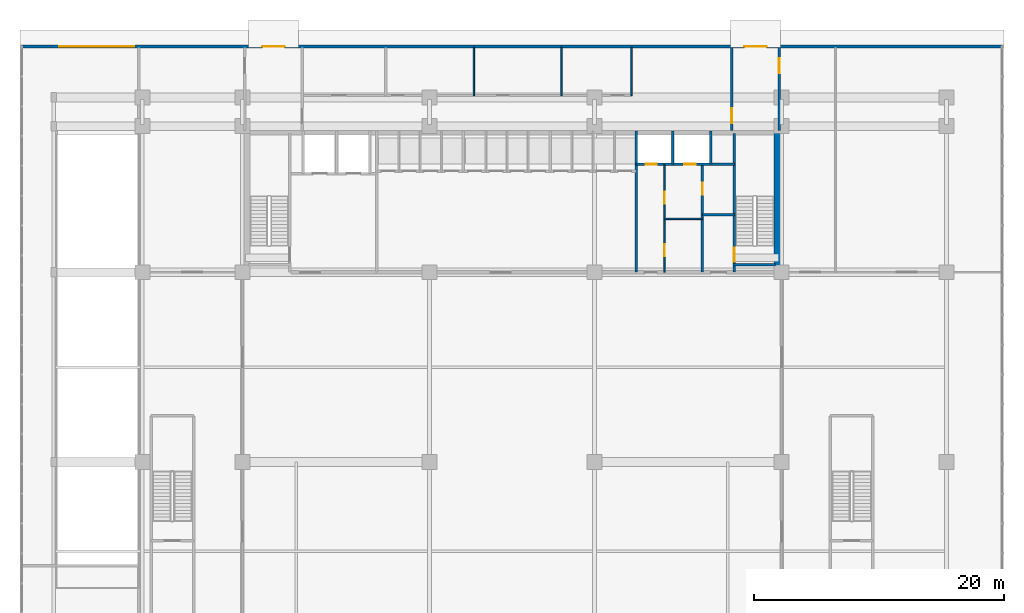
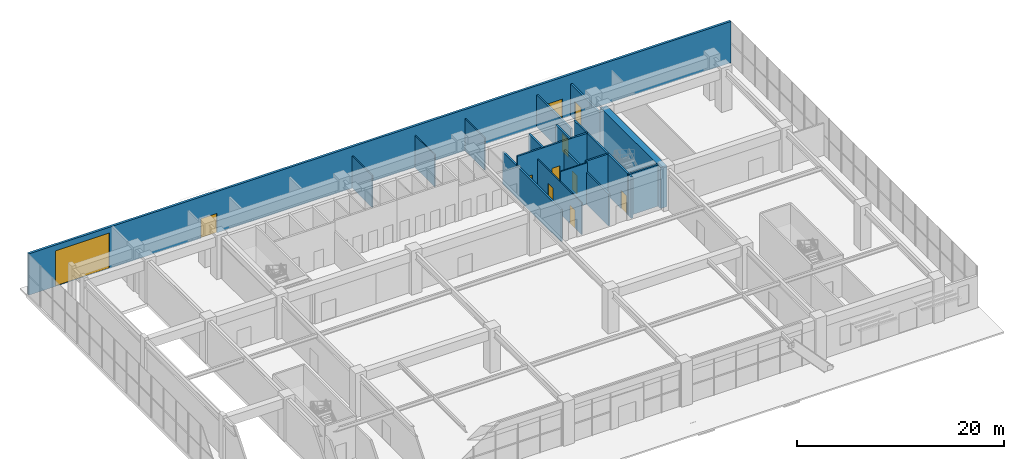
# One storey, part 35 of 40: 17 walls, 11 doors, 11 openings.
"""IFC4 building model written with IfcOpenShell, lengths in metres."""

from ifc_helpers import new_model, si_unit, direction, frame, frame_2d, origin, place, context, subcontext, project, spatial, rectangle, extrude, source, transform, mapped, material, layer, layer_set, type_object, element, fill, save


model = new_model("IFC4")

# Units and contexts
model_context = context("Model", 3, precision=1e-05, world=origin(), true_north=direction((0.0, 1.0)))
body_context = subcontext(model_context, "Body", "Model", "MODEL_VIEW")
ifc_project = project(units=[si_unit("LENGTHUNIT", "METRE"), si_unit("AREAUNIT", "SQUARE_METRE"), si_unit("VOLUMEUNIT", "CUBIC_METRE"), si_unit("PLANEANGLEUNIT", "RADIAN"), si_unit("MASSUNIT", "GRAM", prefix="KILO")], contexts=[model_context])

# Site, building, storey
site_placement = place(None, origin())
site = spatial("IfcSite", under=ifc_project, at=site_placement, CompositionType="ELEMENT")
building_placement = place(site_placement, origin())
building = spatial("IfcBuilding", under=site, at=building_placement, Name="Trelvane Seafront Commons", CompositionType="ELEMENT")
storey_placement = place(building_placement, origin())
storey = spatial("IfcBuildingStorey", under=building, at=storey_placement, Name="L00", CompositionType="ELEMENT", Elevation=0.0)

# Wall, openings, doors
ifc_material_1 = material(Name="Precast concrete C40/50", Category="concrete")
ifc_layer_1 = layer(ifc_material_1, 0.260009765625, Name="ARCH-WALL-EXT260")
ifc_layer_set_1 = layer_set([ifc_layer_1], Name="Precast concrete C40/50")
wall_type_1 = type_object("IfcWallType", Name="ARCH-WALL-EXT260", PredefinedType="SOLIDWALL", material=ifc_layer_set_1)
wall_1_placement = place(storey_placement, frame((-2.050048828125, 51.469970703125, 0.0), z_axis=(0.0, 0.0, 1.0), x_axis=(1.0, 0.0, 0.0)))
wall_1 = element("IfcWall", 1, at=wall_1_placement, inside=storey, type_object=wall_type_1, Name="EW-L00-N-001", PredefinedType="SOLIDWALL", context=body_context, shape_type="SweptSolid", body=[
    extrude(rectangle(XDim=78.5, YDim=0.260009765625, at=frame_2d((39.25, 0.0))), origin(), (0.0, 0.0, 1.0), 4.8798828125),
])
opening_1_placement = place(wall_1_placement, frame((3.0, 0.0, 0.0)))
opening_1 = element("IfcOpeningElement", 2, at=opening_1_placement, cuts=wall_1, Name="Opening VG-01", PredefinedType="OPENING", context=body_context, shape_type="SweptSolid", body=[
    extrude(rectangle(XDim=6.0, YDim=4.199951171875, at=frame_2d((3.0, 2.10009765625))), frame((0.0, 0.139892578125, 0.0), z_axis=(0.0, -1.0, 0.0), x_axis=(1.0, 0.0, 0.0)), (0.0, 0.0, 1.0), 0.280029296875),
])
opening_2_placement = place(wall_1_placement, frame((19.25, 0.0, 0.0)))
opening_2 = element("IfcOpeningElement", 3, at=opening_2_placement, cuts=wall_1, Name="Opening FD-EXN1", PredefinedType="OPENING", context=body_context, shape_type="SweptSolid", body=[
    extrude(rectangle(XDim=1.800048828125, YDim=2.300048828125, at=frame_2d((0.89990234375, 1.14990234375))), frame((0.0, 0.139892578125, 0.0), z_axis=(0.0, -1.0, 0.0), x_axis=(1.0, 0.0, 0.0)), (0.0, 0.0, 1.0), 0.280029296875),
])
opening_3_placement = place(wall_1_placement, frame((57.85009765625, 0.0, 0.0)))
opening_3 = element("IfcOpeningElement", 4, at=opening_3_placement, cuts=wall_1, Name="Opening FD-EXN2", PredefinedType="OPENING", context=body_context, shape_type="SweptSolid", body=[
    extrude(rectangle(XDim=1.800048828125, YDim=2.300048828125, at=frame_2d((0.89990234375, 1.14990234375))), frame((0.0, 0.139892578125, 0.0), z_axis=(0.0, -1.0, 0.0), x_axis=(1.0, 0.0, 0.0)), (0.0, 0.0, 1.0), 0.280029296875),
])
ifc_material_2 = material(Name="Anodised pale-silver aluminium", Category="aluminium")
door_type_1 = type_object("IfcDoorType", Name="ARCH-GATE-VG6000", OperationType="ROLLINGUP", PredefinedType="GATE", material=ifc_material_2)
shared_shape_1 = source(origin(), body_context, "Body", "SweptSolid", [
    extrude(rectangle(XDim=6.0, YDim=4.199951171875, at=frame_2d((3.0, 2.10009765625))), frame((0.0, 0.02490234375, 0.0), z_axis=(0.0, -1.0, 0.0), x_axis=(1.0, 0.0, 0.0)), (0.0, 0.0, 1.0), 0.050048828125),
])
door_1_placement = place(opening_1_placement, origin())
door_1 = element("IfcDoor", 5, at=door_1_placement, inside=storey, type_object=door_type_1, Name="VG-01 North Vehicle Ramp Exit Roller Shutter Gate", OperationType="ROLLINGUP", OverallHeight=4.199951171875, OverallWidth=6.0, PredefinedType="GATE", context=body_context, shape_type="MappedRepresentation", body=[
    mapped(shared_shape_1, transform((0.0, 0.0, 0.0), x_axis=(1.0, 0.0, 0.0), y_axis=(0.0, 1.0, 0.0), z_axis=(0.0, 0.0, 1.0), scale=1.0)),
])
fill(opening_1, door_1)
ifc_material_3 = material(Name="Powder-coated aluminium frame", Category="aluminium")
door_type_2 = type_object("IfcDoorType", Name="ARCH-DR-EX1800", OperationType="DOUBLE_DOOR_SINGLE_SWING", PredefinedType="DOOR", material=ifc_material_3)
shared_shape_2 = source(origin(), body_context, "Body", "SweptSolid", [
    extrude(rectangle(XDim=1.800048828125, YDim=2.300048828125, at=frame_2d((0.89990234375, 1.14990234375))), frame((0.0, 0.02490234375, 0.0), z_axis=(0.0, -1.0, 0.0), x_axis=(1.0, 0.0, 0.0)), (0.0, 0.0, 1.0), 0.050048828125),
])
door_2_placement = place(opening_2_placement, origin())
door_2 = element("IfcDoor", 6, at=door_2_placement, inside=storey, type_object=door_type_2, Name="L00 West Passageway Final Exit Door", OperationType="DOUBLE_DOOR_SINGLE_SWING", OverallHeight=2.300048828125, OverallWidth=1.800048828125, PredefinedType="DOOR", context=body_context, shape_type="MappedRepresentation", body=[
    mapped(shared_shape_2, transform((0.0, 0.0, 0.0), x_axis=(1.0, 0.0, 0.0), y_axis=(0.0, 1.0, 0.0), z_axis=(0.0, 0.0, 1.0), scale=1.0)),
])
fill(opening_2, door_2)
door_3_placement = place(opening_3_placement, origin())
door_3 = element("IfcDoor", 7, at=door_3_placement, inside=storey, type_object=door_type_2, Name="L00 East Passageway Final Exit Door", OperationType="DOUBLE_DOOR_SINGLE_SWING", OverallHeight=2.300048828125, OverallWidth=1.800048828125, PredefinedType="DOOR", context=body_context, shape_type="MappedRepresentation", body=[
    mapped(shared_shape_2, transform((0.0, 0.0, 0.0), x_axis=(1.0, 0.0, 0.0), y_axis=(0.0, 1.0, 0.0), z_axis=(0.0, 0.0, 1.0), scale=1.0)),
])
fill(opening_3, door_3)

# Wall, opening, door
ifc_material_4 = material(Name="Concrete C40/50", Category="concrete")
ifc_layer_2 = layer(ifc_material_4, 0.199951171875, Name="ARCH-WALL-FIRE200")
ifc_layer_set_2 = layer_set([ifc_layer_2], Name="Concrete C40/50")
wall_type_2 = type_object("IfcWallType", Name="ARCH-WALL-FIRE200", PredefinedType="PARTITIONING", material=ifc_layer_set_2)
wall_2_placement = place(storey_placement, frame((52.449951171875, 33.39990234375, 0.0), z_axis=(0.0, 0.0, 1.0), x_axis=(0.0, 1.0, 0.0)))
wall_2 = element("IfcWall", 8, at=wall_2_placement, inside=storey, type_object=wall_type_2, Name="W-L00-ST2V-W-041", PredefinedType="PARTITIONING", context=body_context, shape_type="SweptSolid", body=[
    extrude(rectangle(XDim=8.650146484375, YDim=0.199951171875, at=frame_2d((4.3251953125, 0.0))), origin(), (0.0, 0.0, 1.0), 3.780029296875),
])
opening_4_placement = place(wall_2_placement, frame((6.199951171875, 0.0, 0.0)))
opening_4 = element("IfcOpeningElement", 9, at=opening_4_placement, cuts=wall_2, Name="Opening FD-L00-23", PredefinedType="OPENING", context=body_context, shape_type="SweptSolid", body=[
    extrude(rectangle(XDim=0.949951171875, YDim=2.14990234375, at=frame_2d((0.47509765625, 1.074951171875))), frame((0.0, 0.10986328125, 0.0), z_axis=(0.0, -1.0, 0.0), x_axis=(1.0, 0.0, 0.0)), (0.0, 0.0, 1.0), 0.219970703125),
])
door_type_3 = type_object("IfcDoorType", Name="ARCH-DR-FD60-950", OperationType="NOTDEFINED", PredefinedType="DOOR", material=ifc_material_3)
shared_shape_3 = source(origin(), body_context, "Body", "SweptSolid", [
    extrude(rectangle(XDim=0.949951171875, YDim=2.14990234375, at=frame_2d((0.47509765625, 1.074951171875))), frame((0.0, 0.02490234375, 0.0), z_axis=(0.0, -1.0, 0.0), x_axis=(1.0, 0.0, 0.0)), (0.0, 0.0, 1.0), 0.050048828125),
])
door_4_placement = place(opening_4_placement, origin())
door_4 = element("IfcDoor", 10, at=door_4_placement, inside=storey, type_object=door_type_3, Name="L00 Cleaner Store Door", OperationType="SINGLE_SWING_LEFT", OverallHeight=2.14990234375, OverallWidth=0.949951171875, PredefinedType="DOOR", context=body_context, shape_type="MappedRepresentation", body=[
    mapped(shared_shape_3, transform((0.0, 0.0, 0.0), x_axis=(1.0, 0.0, 0.0), y_axis=(0.0, 1.0, 0.0), z_axis=(0.0, 0.0, 1.0), scale=1.0)),
])
fill(opening_4, door_4)

# Wall
wall_3_placement = place(storey_placement, frame((52.449951171875, 38.0, 0.0), z_axis=(0.0, 0.0, 1.0), x_axis=(1.0, 0.0, 0.0)))
element("IfcWall", 11, at=wall_3_placement, inside=storey, type_object=wall_type_2, Name="W-L00-ST2V-N-042", PredefinedType="PARTITIONING", context=body_context, shape_type="SweptSolid", body=[
    extrude(rectangle(XDim=2.550048828125, YDim=0.199951171875, at=frame_2d((1.27490234375, 0.0))), origin(), (0.0, 0.0, 1.0), 4.8798828125),
])

# Wall, opening, door
wall_4_placement = place(storey_placement, frame((54.800048828125, 44.75, 0.0), z_axis=(0.0, 0.0, 1.0), x_axis=(0.0, 1.0, 0.0)))
wall_4 = element("IfcWall", 12, at=wall_4_placement, inside=storey, type_object=wall_type_2, Name="W-L00-EPE-W-057", PredefinedType="PARTITIONING", context=body_context, shape_type="SweptSolid", body=[
    extrude(rectangle(XDim=6.64990234375, YDim=0.199951171875, at=frame_2d((3.324951171875, 0.0))), origin(), (0.0, 0.0, 1.0), 3.780029296875),
])
opening_5_placement = place(wall_4_placement, frame((0.60009765625, 0.0, 0.0)))
opening_5 = element("IfcOpeningElement", 13, at=opening_5_placement, cuts=wall_4, Name="Opening FD-L00-35", PredefinedType="OPENING", context=body_context, shape_type="SweptSolid", body=[
    extrude(rectangle(XDim=1.199951171875, YDim=2.14990234375, at=frame_2d((0.60009765625, 1.074951171875))), frame((0.0, 0.10986328125, 0.0), z_axis=(0.0, -1.0, 0.0), x_axis=(1.0, 0.0, 0.0)), (0.0, 0.0, 1.0), 0.219970703125),
])
door_type_4 = type_object("IfcDoorType", Name="ARCH-DR-FD60-1200", OperationType="NOTDEFINED", PredefinedType="DOOR", material=ifc_material_3)
shared_shape_4 = source(origin(), body_context, "Body", "SweptSolid", [
    extrude(rectangle(XDim=1.199951171875, YDim=2.14990234375, at=frame_2d((0.60009765625, 1.074951171875))), frame((0.0, 0.02490234375, 0.0), z_axis=(0.0, -1.0, 0.0), x_axis=(1.0, 0.0, 0.0)), (0.0, 0.0, 1.0), 0.050048828125),
])
door_5_placement = place(opening_5_placement, origin())
door_5 = element("IfcDoor", 14, at=door_5_placement, inside=storey, type_object=door_type_4, Name="L00 Door 35", OperationType="SINGLE_SWING_LEFT", OverallHeight=2.14990234375, OverallWidth=1.199951171875, PredefinedType="DOOR", context=body_context, shape_type="MappedRepresentation", body=[
    mapped(shared_shape_4, transform((0.0, 0.0, 0.0), x_axis=(1.0, 0.0, 0.0), y_axis=(0.0, 1.0, 0.0), z_axis=(0.0, 0.0, 1.0), scale=1.0)),
])
fill(opening_5, door_5)

wall_5_placement = place(storey_placement, frame((58.60009765625, 44.75, 0.0), z_axis=(0.0, 0.0, 1.0), x_axis=(0.0, 1.0, 0.0)))
wall_5 = element("IfcWall", 15, at=wall_5_placement, inside=storey, type_object=wall_type_2, Name="W-L00-EPE-E-058", PredefinedType="PARTITIONING", context=body_context, shape_type="SweptSolid", body=[
    extrude(rectangle(XDim=6.64990234375, YDim=0.199951171875, at=frame_2d((3.324951171875, 0.0))), origin(), (0.0, 0.0, 1.0), 3.780029296875),
])
opening_6_placement = place(wall_5_placement, frame((4.60009765625, 0.0, 0.0)))
opening_6 = element("IfcOpeningElement", 16, at=opening_6_placement, cuts=wall_5, Name="Opening FD-L00-36", PredefinedType="OPENING", context=body_context, shape_type="SweptSolid", body=[
    extrude(rectangle(XDim=1.199951171875, YDim=2.14990234375, at=frame_2d((0.60009765625, 1.074951171875))), frame((0.0, 0.10986328125, 0.0), z_axis=(0.0, -1.0, 0.0), x_axis=(1.0, 0.0, 0.0)), (0.0, 0.0, 1.0), 0.219970703125),
])
door_6_placement = place(opening_6_placement, origin())
door_6 = element("IfcDoor", 17, at=door_6_placement, inside=storey, type_object=door_type_4, Name="L00 Door 36", OperationType="SINGLE_SWING_RIGHT", OverallHeight=2.14990234375, OverallWidth=1.199951171875, PredefinedType="DOOR", context=body_context, shape_type="MappedRepresentation", body=[
    mapped(shared_shape_4, transform((0.0, 0.0, 0.0), x_axis=(1.0, 0.0, 0.0), y_axis=(0.0, 1.0, 0.0), z_axis=(0.0, 0.0, 1.0), scale=1.0)),
])
fill(opening_6, door_6)

# Wall, openings, doors
ifc_material_5 = material(Name="Gypsum Drywall Acoustic Partition")
ifc_layer_3 = layer(ifc_material_5, 0.1201171875, Name="ARCH-WALL-PART120")
ifc_layer_set_3 = layer_set([ifc_layer_3], Name="Gypsum Drywall Acoustic Partition")
wall_type_3 = type_object("IfcWallType", Name="ARCH-WALL-PART120", PredefinedType="PARTITIONING", material=ifc_layer_set_3)
wall_6_placement = place(storey_placement, frame((49.419921875, 33.39990234375, 0.0), z_axis=(0.0, 0.0, 1.0), x_axis=(0.0, 1.0, 0.0)))
wall_6 = element("IfcWall", 18, at=wall_6_placement, inside=storey, type_object=wall_type_3, Name="W-L00-CYC0-V-043", PredefinedType="PARTITIONING", context=body_context, shape_type="SweptSolid", body=[
    extrude(rectangle(XDim=8.60009765625, YDim=0.1201171875, at=frame_2d((4.300048828125, 0.0))), origin(), (0.0, 0.0, 1.0), 3.780029296875),
])
opening_7_placement = place(wall_6_placement, frame((1.300048828125, 0.0, 0.0)))
opening_7 = element("IfcOpeningElement", 19, at=opening_7_placement, cuts=wall_6, Name="Opening D-L00-24", PredefinedType="OPENING", context=body_context, shape_type="SweptSolid", body=[
    extrude(rectangle(XDim=0.949951171875, YDim=2.14990234375, at=frame_2d((0.47509765625, 1.074951171875))), frame((0.0, 0.070068359375, 0.0), z_axis=(0.0, -1.0, 0.0), x_axis=(1.0, 0.0, 0.0)), (0.0, 0.0, 1.0), 0.14013671875),
])
opening_8_placement = place(wall_6_placement, frame((5.5, 0.0, 0.0)))
opening_8 = element("IfcOpeningElement", 20, at=opening_8_placement, cuts=wall_6, Name="Opening D-L00-25", PredefinedType="OPENING", context=body_context, shape_type="SweptSolid", body=[
    extrude(rectangle(XDim=0.949951171875, YDim=2.14990234375, at=frame_2d((0.47509765625, 1.074951171875))), frame((0.0, 0.070068359375, 0.0), z_axis=(0.0, -1.0, 0.0), x_axis=(1.0, 0.0, 0.0)), (0.0, 0.0, 1.0), 0.14013671875),
])
ifc_material_6 = material(Name="Acoustic timber door leaf", Category="wood")
door_type_5 = type_object("IfcDoorType", Name="ARCH-DR-INT950", OperationType="NOTDEFINED", PredefinedType="DOOR", material=ifc_material_6)
door_7_placement = place(opening_7_placement, origin())
door_7 = element("IfcDoor", 21, at=door_7_placement, inside=storey, type_object=door_type_5, Name="L00 Accessible WC Door", OperationType="SINGLE_SWING_RIGHT", OverallHeight=2.14990234375, OverallWidth=0.949951171875, PredefinedType="DOOR", context=body_context, shape_type="MappedRepresentation", body=[
    mapped(shared_shape_3, transform((0.0, 0.0, 0.0), x_axis=(1.0, 0.0, 0.0), y_axis=(0.0, 1.0, 0.0), z_axis=(0.0, 0.0, 1.0), scale=1.0)),
])
fill(opening_7, door_7)
door_8_placement = place(opening_8_placement, origin())
door_8 = element("IfcDoor", 22, at=door_8_placement, inside=storey, type_object=door_type_5, Name="L00 Common WC Door", OperationType="SINGLE_SWING_LEFT", OverallHeight=2.14990234375, OverallWidth=0.949951171875, PredefinedType="DOOR", context=body_context, shape_type="MappedRepresentation", body=[
    mapped(shared_shape_3, transform((0.0, 0.0, 0.0), x_axis=(1.0, 0.0, 0.0), y_axis=(0.0, 1.0, 0.0), z_axis=(0.0, 0.0, 1.0), scale=1.0)),
])
fill(opening_8, door_8)

# Walls
wall_7_placement = place(storey_placement, frame((49.419921875, 37.679931640625, 0.0), z_axis=(0.0, 0.0, 1.0), x_axis=(1.0, 0.0, 0.0)))
element("IfcWall", 23, at=wall_7_placement, inside=storey, type_object=wall_type_3, Name="W-L00-CYC0-H-044", PredefinedType="PARTITIONING", context=body_context, shape_type="SweptSolid", body=[
    extrude(rectangle(XDim=3.030029296875, YDim=0.1201171875, at=frame_2d((1.51513671875, 0.0))), origin(), (0.0, 0.0, 1.0), 4.8798828125),
])
for number, where, z_axis, x_axis, name in (
    (24, (34.14990234375, 47.550048828125, 0.0), (0.0, 0.0, 1.0), (0.0, 1.0, 0.0), "W-L00-NWC-DV-34-054"),
    (25, (41.14990234375, 47.550048828125, 0.0), (0.0, 0.0, 1.0), (0.0, 1.0, 0.0), "W-L00-NWC-DV-41-055"),
    (26, (46.75, 47.550048828125, 0.0), (0.0, 0.0, 1.0), (0.0, 1.0, 0.0), "W-L00-NWC-DV-46-056"),
):
    element("IfcWall", number, at=place(storey_placement, frame(where, z_axis=z_axis, x_axis=x_axis)), inside=storey, type_object=wall_type_3, Name=name, PredefinedType="PARTITIONING", context=body_context, shape_type="SweptSolid", body=[
        extrude(rectangle(XDim=3.849853515625, YDim=0.1201171875, at=frame_2d((1.9248046875, 0.0))), origin(), (0.0, 0.0, 1.0), 3.780029296875),
    ])
ifc_layer_4 = layer(ifc_material_4, 0.199951171875, Name="ARCH-WALL-SHAFT200")
ifc_layer_set_4 = layer_set([ifc_layer_4], Name="Concrete C40/50")
wall_type_4 = type_object("IfcWallType", Name="ARCH-WALL-SHAFT200", PredefinedType="SOLIDWALL", material=ifc_layer_set_4)
wall_8_placement = place(storey_placement, frame((47.14990234375, 33.39990234375, 0.0), z_axis=(0.0, 0.0, 1.0), x_axis=(0.0, 1.0, 0.0)))
element("IfcWall", 27, at=wall_8_placement, inside=storey, type_object=wall_type_4, Name="W-L00-PH-EAST-036", PredefinedType="SOLIDWALL", context=body_context, shape_type="SweptSolid", body=[
    extrude(rectangle(XDim=11.300048828125, YDim=0.199951171875, at=frame_2d((5.64990234375, 0.0))), origin(), (0.0, 0.0, 1.0), 3.780029296875),
])

# Wall, openings, doors
wall_9_placement = place(storey_placement, frame((47.14990234375, 42.050048828125, 0.0), z_axis=(0.0, 0.0, 1.0), x_axis=(1.0, 0.0, 0.0)))
wall_9 = element("IfcWall", 28, at=wall_9_placement, inside=storey, type_object=wall_type_4, Name="W-L00-RSR-S-038", PredefinedType="SOLIDWALL", context=body_context, shape_type="SweptSolid", body=[
    extrude(rectangle(XDim=7.85009765625, YDim=0.199951171875, at=frame_2d((3.925048828125, 0.0))), origin(), (0.0, 0.0, 1.0), 4.8798828125),
])
opening_9_placement = place(wall_9_placement, frame((0.75, 0.0, 0.0)))
opening_9 = element("IfcOpeningElement", 29, at=opening_9_placement, cuts=wall_9, Name="Opening FD-L00-21", PredefinedType="OPENING", context=body_context, shape_type="SweptSolid", body=[
    extrude(rectangle(XDim=0.89990234375, YDim=2.10009765625, at=frame_2d((0.449951171875, 1.050048828125))), frame((0.0, 0.10986328125, 0.0), z_axis=(0.0, -1.0, 0.0), x_axis=(1.0, 0.0, 0.0)), (0.0, 0.0, 1.0), 0.219970703125),
])
opening_10_placement = place(wall_9_placement, frame((3.85009765625, 0.0, 0.0)))
opening_10 = element("IfcOpeningElement", 30, at=opening_10_placement, cuts=wall_9, Name="Opening FD-L00-22", PredefinedType="OPENING", context=body_context, shape_type="SweptSolid", body=[
    extrude(rectangle(XDim=0.89990234375, YDim=2.10009765625, at=frame_2d((0.449951171875, 1.050048828125))), frame((0.0, 0.10986328125, 0.0), z_axis=(0.0, -1.0, 0.0), x_axis=(1.0, 0.0, 0.0)), (0.0, 0.0, 1.0), 0.219970703125),
])
door_type_6 = type_object("IfcDoorType", Name="ARCH-DR-FD60-900", OperationType="NOTDEFINED", PredefinedType="DOOR", material=ifc_material_3)
shared_shape_5 = source(origin(), body_context, "Body", "SweptSolid", [
    extrude(rectangle(XDim=0.89990234375, YDim=2.10009765625, at=frame_2d((0.449951171875, 1.050048828125))), frame((0.0, 0.02490234375, 0.0), z_axis=(0.0, -1.0, 0.0), x_axis=(1.0, 0.0, 0.0)), (0.0, 0.0, 1.0), 0.050048828125),
])
door_9_placement = place(opening_9_placement, origin())
door_9 = element("IfcDoor", 31, at=door_9_placement, inside=storey, type_object=door_type_6, Name="L00 Electrical Riser Access Door", OperationType="SINGLE_SWING_LEFT", OverallHeight=2.10009765625, OverallWidth=0.89990234375, PredefinedType="DOOR", context=body_context, shape_type="MappedRepresentation", body=[
    mapped(shared_shape_5, transform((0.0, 0.0, 0.0), x_axis=(1.0, 0.0, 0.0), y_axis=(0.0, 1.0, 0.0), z_axis=(0.0, 0.0, 1.0), scale=1.0)),
])
fill(opening_9, door_9)
door_10_placement = place(opening_10_placement, origin())
door_10 = element("IfcDoor", 32, at=door_10_placement, inside=storey, type_object=door_type_6, Name="L00 Mechanical Riser Access Door", OperationType="SINGLE_SWING_RIGHT", OverallHeight=2.10009765625, OverallWidth=0.89990234375, PredefinedType="DOOR", context=body_context, shape_type="MappedRepresentation", body=[
    mapped(shared_shape_5, transform((0.0, 0.0, 0.0), x_axis=(1.0, 0.0, 0.0), y_axis=(0.0, 1.0, 0.0), z_axis=(0.0, 0.0, 1.0), scale=1.0)),
])
fill(opening_10, door_10)

# Walls
for number, where, z_axis, x_axis, name in (
    (33, (50.080078125, 42.050048828125, 0.0), (0.0, 0.0, 1.0), (0.0, 1.0, 0.0), "W-L00-RSR-DIV-039"),
    (34, (53.10009765625, 42.050048828125, 0.0), (0.0, 0.0, 1.0), (0.0, 1.0, 0.0), "W-L00-RSR-E-040"),
):
    element("IfcWall", number, at=place(storey_placement, frame(where, z_axis=z_axis, x_axis=x_axis)), inside=storey, type_object=wall_type_4, Name=name, PredefinedType="SOLIDWALL", context=body_context, shape_type="SweptSolid", body=[
        extrude(rectangle(XDim=2.64990234375, YDim=0.199951171875, at=frame_2d((1.324951171875, 0.0))), origin(), (0.0, 0.0, 1.0), 4.8798828125),
    ])
ifc_material_7 = material(Name="Concrete C60/75", Category="concrete")
ifc_layer_5 = layer(ifc_material_7, 0.699951171875, Name="STR-WALL-CORE700")
ifc_layer_set_5 = layer_set([ifc_layer_5], Name="Concrete C60/75")
wall_type_5 = type_object("IfcWallType", Name="STR-WALL-CORE700", PredefinedType="SHEAR", material=ifc_layer_set_5)
wall_10_placement = place(storey_placement, frame((58.550048828125, 33.39990234375, 0.0), z_axis=(0.0, 0.0, 1.0), x_axis=(0.0, 1.0, 0.0)))
element("IfcWall", 35, at=wall_10_placement, inside=storey, type_object=wall_type_5, Name="W-L00-CE-END-003", PredefinedType="SHEAR", context=body_context, shape_type="SweptSolid", body=[
    extrude(rectangle(XDim=11.7001953125, YDim=0.699951171875, at=frame_2d((5.85009765625, 0.0))), origin(), (0.0, 0.0, 1.0), 4.8798828125),
])
ifc_material_8 = material(Name="Concrete C50/60", Category="concrete")
ifc_layer_6 = layer(ifc_material_8, 0.199951171875, Name="STR-WALL-STAIR200")
ifc_layer_set_6 = layer_set([ifc_layer_6], Name="Concrete C50/60")
wall_type_6 = type_object("IfcWallType", Name="STR-WALL-STAIR200", PredefinedType="SHEAR", material=ifc_layer_set_6)
wall_11_placement = place(storey_placement, frame((54.89990234375, 34.0, 0.0), z_axis=(0.0, 0.0, 1.0), x_axis=(1.0, 0.0, 0.0)))
element("IfcWall", 36, at=wall_11_placement, inside=storey, type_object=wall_type_6, Name="W-L00-ST2-S-006", PredefinedType="SHEAR", context=body_context, shape_type="SweptSolid", body=[
    extrude(rectangle(XDim=3.400146484375, YDim=0.199951171875, at=frame_2d((1.7001953125, 0.0))), origin(), (0.0, 0.0, 1.0), 4.8798828125),
])

# Wall, opening, door
wall_12_placement = place(storey_placement, frame((55.0, 33.39990234375, 0.0), z_axis=(0.0, 0.0, 1.0), x_axis=(0.0, 1.0, 0.0)))
wall_12 = element("IfcWall", 37, at=wall_12_placement, inside=storey, type_object=wall_type_6, Name="W-L00-ST2-W-007", PredefinedType="SHEAR", context=body_context, shape_type="SweptSolid", body=[
    extrude(rectangle(XDim=11.10009765625, YDim=0.199951171875, at=frame_2d((5.550048828125, 0.0))), origin(), (0.0, 0.0, 1.0), 4.8798828125),
])
opening_11_placement = place(wall_12_placement, frame((0.85009765625, 0.0, 0.0)))
opening_11 = element("IfcOpeningElement", 38, at=opening_11_placement, cuts=wall_12, Name="Opening ST-D2-L00", PredefinedType="OPENING", context=body_context, shape_type="SweptSolid", body=[
    extrude(rectangle(XDim=1.10009765625, YDim=2.14990234375, at=frame_2d((0.550048828125, 1.074951171875))), frame((0.0, 0.10986328125, 0.0), z_axis=(0.0, -1.0, 0.0), x_axis=(1.0, 0.0, 0.0)), (0.0, 0.0, 1.0), 0.219970703125),
])
door_type_7 = type_object("IfcDoorType", Name="ARCH-DR-FD90-1100", OperationType="NOTDEFINED", PredefinedType="DOOR", material=ifc_material_3)
shared_shape_6 = source(origin(), body_context, "Body", "SweptSolid", [
    extrude(rectangle(XDim=1.10009765625, YDim=2.14990234375, at=frame_2d((0.550048828125, 1.074951171875))), frame((0.0, 0.02490234375, 0.0), z_axis=(0.0, -1.0, 0.0), x_axis=(1.0, 0.0, 0.0)), (0.0, 0.0, 1.0), 0.050048828125),
])
door_11_placement = place(opening_11_placement, origin())
door_11 = element("IfcDoor", 39, at=door_11_placement, inside=storey, type_object=door_type_7, Name="L00 Stair ST-2 Vestibule Fire Door", OperationType="SINGLE_SWING_RIGHT", OverallHeight=2.14990234375, OverallWidth=1.10009765625, PredefinedType="DOOR", context=body_context, shape_type="MappedRepresentation", body=[
    mapped(shared_shape_6, transform((0.0, 0.0, 0.0), x_axis=(1.0, 0.0, 0.0), y_axis=(0.0, 1.0, 0.0), z_axis=(0.0, 0.0, 1.0), scale=1.0)),
])
fill(opening_11, door_11)

save(model, "model.ifc")
